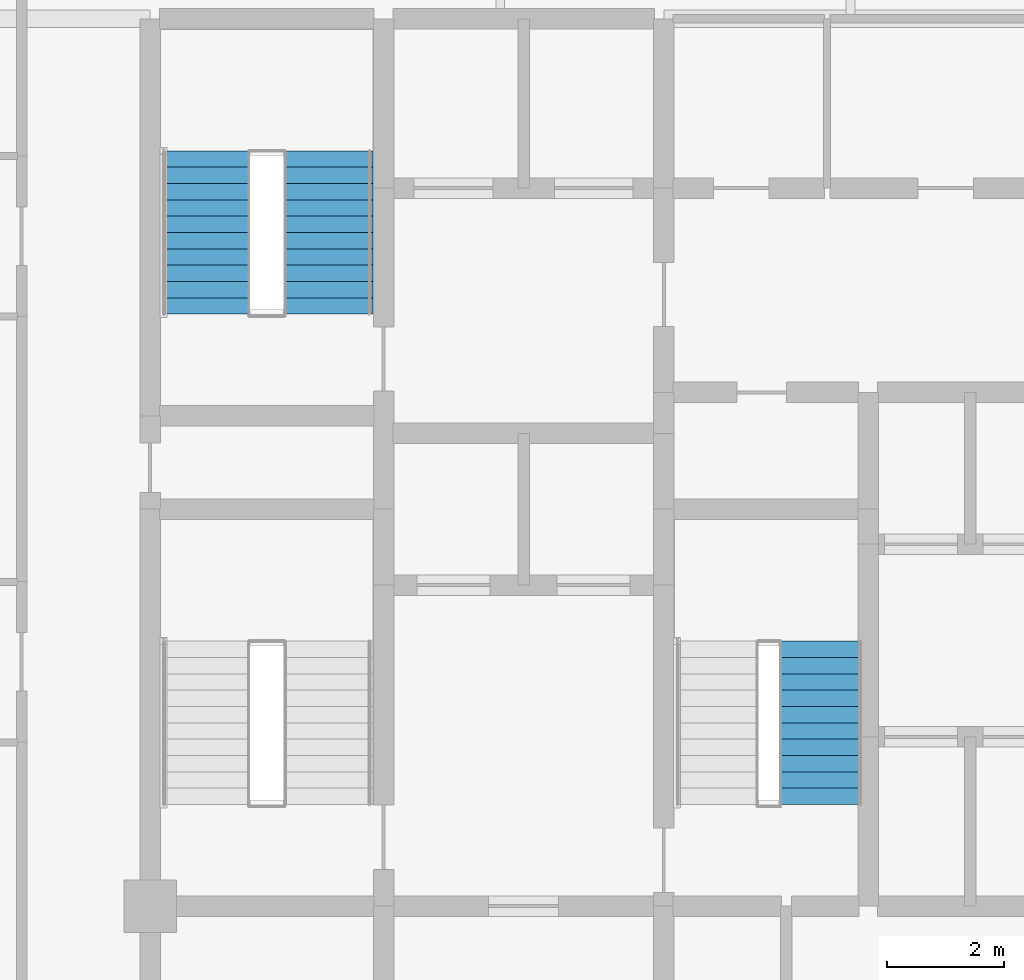
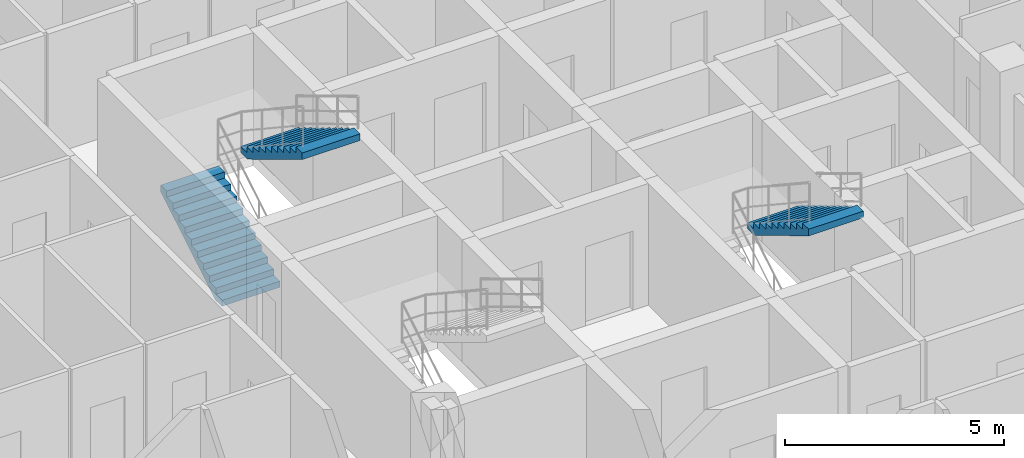
# One storey, part 31 of 32: 3 stair flights, 2 elements without a shape of their own.
"""IFC4 building model written with IfcOpenShell, lengths in metres."""

from ifc_helpers import new_model, si_unit, direction, frame, origin, place, context, subcontext, project, spatial, polyline, outline, extrude, material, type_object, element, aggregate, save


model = new_model("IFC4")

# Units and contexts
model_context = context("Model", 3, precision=1e-05, world=origin(), true_north=direction((0.0, 1.0)))
body_context = subcontext(model_context, "Body", "Model", "MODEL_VIEW")
ifc_project = project(units=[si_unit("LENGTHUNIT", "METRE"), si_unit("AREAUNIT", "SQUARE_METRE"), si_unit("VOLUMEUNIT", "CUBIC_METRE"), si_unit("PLANEANGLEUNIT", "RADIAN"), si_unit("MASSUNIT", "GRAM", prefix="KILO")], contexts=[model_context])

# Site, building, storey
site_placement = place(None, origin())
site = spatial("IfcSite", under=ifc_project, at=site_placement, CompositionType="ELEMENT")
building_placement = place(site_placement, origin())
building = spatial("IfcBuilding", under=site, at=building_placement, Name="Keshet Zoharim Tower", CompositionType="ELEMENT")
storey_placement = place(building_placement, frame((0.0, 0.0, 152.0)))
storey = spatial("IfcBuildingStorey", under=building, at=storey_placement, Name="L37", CompositionType="ELEMENT", Elevation=152.0)

# Stair, stair flights
ifc_material = material(Name="Concrete C50/60", Category="concrete")
stair_type = type_object("IfcStairType", Name="STR-EXIT-135", PredefinedType="HALF_TURN_STAIR", material=ifc_material)
stair_1_placement = place(storey_placement, origin())
stair_1 = element("IfcStair", 1, at=stair_1_placement, inside=storey, type_object=stair_type, Name="L37 Enclosed Exit Stair ST-02", PredefinedType="HALF_TURN_STAIR")
stair_flight_type_1 = type_object("IfcStairFlightType", Name="FLT-PRE-135", PredefinedType="STRAIGHT", material=ifc_material)
stair_flight_1_placement = place(storey_placement, frame((15.945068359375, 32.840087890625, 0.0), z_axis=(0.0, 0.0, 1.0), x_axis=(0.0, 1.0, 0.0)))
stair_flight_1 = element("IfcStairFlight", 2, at=stair_flight_1_placement, type_object=stair_flight_type_1, Name="ST-02 flight 1", NumberOfRisers=11, NumberOfTreads=10, PredefinedType="STRAIGHT", RiserHeight=0.168182, TreadLength=0.28, context=body_context, shape_type="SweptSolid", body=[
    extrude(outline(polyline([(0.0, 0.0), (0.0, 0.168212890625), (0.280029296875, 0.168212890625), (0.280029296875, 0.33642578125), (0.56005859375, 0.33642578125), (0.56005859375, 0.504638671875), (0.840087890625, 0.504638671875), (0.840087890625, 0.672607421875), (1.1201171875, 0.672607421875), (1.1201171875, 0.8408203125), (1.39990234375, 0.8408203125), (1.39990234375, 1.009033203125), (1.679931640625, 1.009033203125), (1.679931640625, 1.17724609375), (1.9599609375, 1.17724609375), (1.9599609375, 1.345458984375), (2.239990234375, 1.345458984375), (2.239990234375, 1.513671875), (2.52001953125, 1.513671875), (2.52001953125, 1.681884765625), (2.800048828125, 1.681884765625), (2.800048828125, 1.85009765625), (2.800048828125, 1.495361328125), (0.310546875, 0.0), (0.0, 0.0)])), frame((0.0, 0.76513671875, 0.0), z_axis=(0.0, -1.0, 0.0), x_axis=(1.0, 0.0, 0.0)), (0.0, 0.0, 1.0), 1.530029296875),
])
stair_flight_2_placement = place(storey_placement, frame((18.054931640625, 35.639892578125, 1.85009765625), z_axis=(0.0, 0.0, 1.0), x_axis=(0.0, -1.0, 0.0)))
stair_flight_2 = element("IfcStairFlight", 3, at=stair_flight_2_placement, type_object=stair_flight_type_1, Name="ST-02 flight 2", NumberOfRisers=11, NumberOfTreads=10, PredefinedType="STRAIGHT", RiserHeight=0.168182, TreadLength=0.28, context=body_context, shape_type="SweptSolid", body=[
    extrude(outline(polyline([(0.0, 0.0), (0.0, 0.168212890625), (0.280029296875, 0.168212890625), (0.280029296875, 0.33642578125), (0.56005859375, 0.33642578125), (0.56005859375, 0.504638671875), (0.840087890625, 0.504638671875), (0.840087890625, 0.672607421875), (1.1201171875, 0.672607421875), (1.1201171875, 0.8408203125), (1.39990234375, 0.8408203125), (1.39990234375, 1.009033203125), (1.679931640625, 1.009033203125), (1.679931640625, 1.17724609375), (1.9599609375, 1.17724609375), (1.9599609375, 1.345458984375), (2.239990234375, 1.345458984375), (2.239990234375, 1.513671875), (2.52001953125, 1.513671875), (2.52001953125, 1.681884765625), (2.800048828125, 1.681884765625), (2.800048828125, 1.85009765625), (2.800048828125, 1.495361328125), (0.310546875, 0.0), (0.0, 0.0)])), frame((0.0, 0.76513671875, 0.0), z_axis=(0.0, -1.0, 0.0), x_axis=(1.0, 0.0, 0.0)), (0.0, 0.0, 1.0), 1.530029296875),
])
aggregate(stair_1, [stair_flight_1, stair_flight_2])

# Stair, stair flight
stair_2_placement = place(storey_placement, origin())
stair_2 = element("IfcStair", 4, at=stair_2_placement, inside=storey, type_object=stair_type, Name="L37 Enclosed Exit Stair ST-03", PredefinedType="HALF_TURN_STAIR")
stair_flight_type_2 = type_object("IfcStairFlightType", Name="FLT-PRE-144", PredefinedType="STRAIGHT", material=ifc_material)
stair_flight_3_placement = place(storey_placement, frame((26.5, 27.239990234375, 1.85009765625), z_axis=(0.0, 0.0, 1.0), x_axis=(0.0, -1.0, 0.0)))
stair_flight_3 = element("IfcStairFlight", 5, at=stair_flight_3_placement, type_object=stair_flight_type_2, Name="ST-03 flight 2", NumberOfRisers=11, NumberOfTreads=10, PredefinedType="STRAIGHT", RiserHeight=0.168182, TreadLength=0.28, context=body_context, shape_type="SweptSolid", body=[
    extrude(outline(polyline([(0.0, 0.0), (0.0, 0.168212890625), (0.280029296875, 0.168212890625), (0.280029296875, 0.33642578125), (0.56005859375, 0.33642578125), (0.56005859375, 0.504638671875), (0.840087890625, 0.504638671875), (0.840087890625, 0.672607421875), (1.1201171875, 0.672607421875), (1.1201171875, 0.8408203125), (1.39990234375, 0.8408203125), (1.39990234375, 1.009033203125), (1.679931640625, 1.009033203125), (1.679931640625, 1.17724609375), (1.9599609375, 1.17724609375), (1.9599609375, 1.345458984375), (2.239990234375, 1.345458984375), (2.239990234375, 1.513671875), (2.52001953125, 1.513671875), (2.52001953125, 1.681884765625), (2.800048828125, 1.681884765625), (2.800048828125, 1.85009765625), (2.800048828125, 1.495361328125), (0.310546875, 0.0), (0.0, 0.0)])), frame((0.0, 0.719970703125, 0.0), z_axis=(0.0, -1.0, 0.0), x_axis=(1.0, 0.0, 0.0)), (0.0, 0.0, 1.0), 1.43994140625),
])
aggregate(stair_2, [stair_flight_3])

save(model, "model.ifc")
